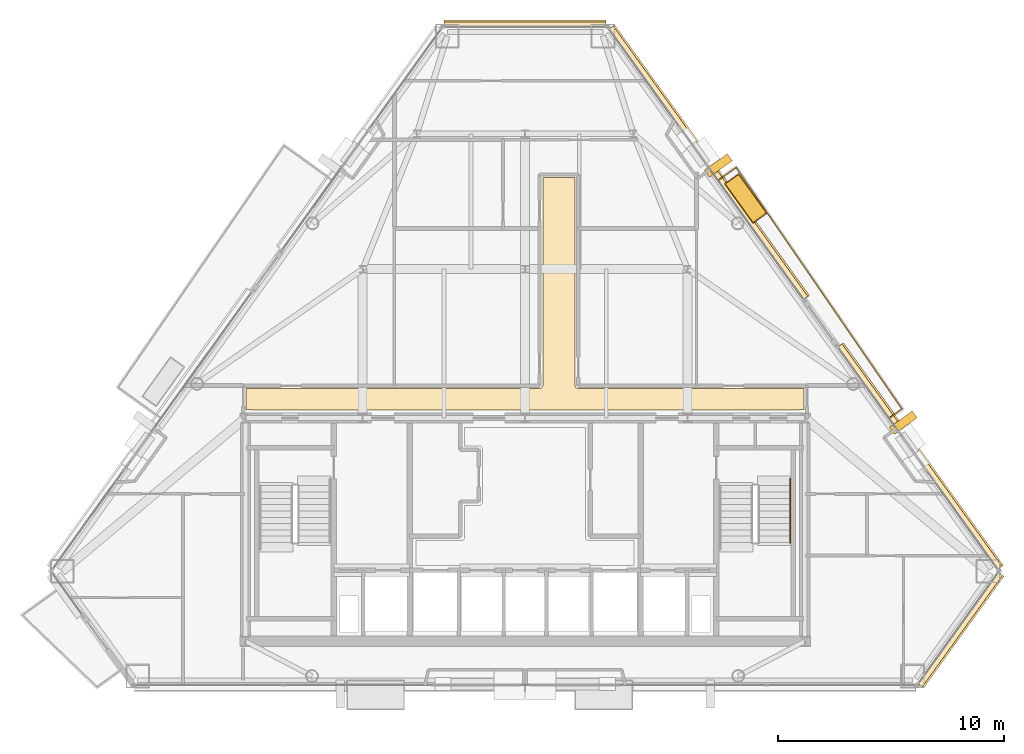
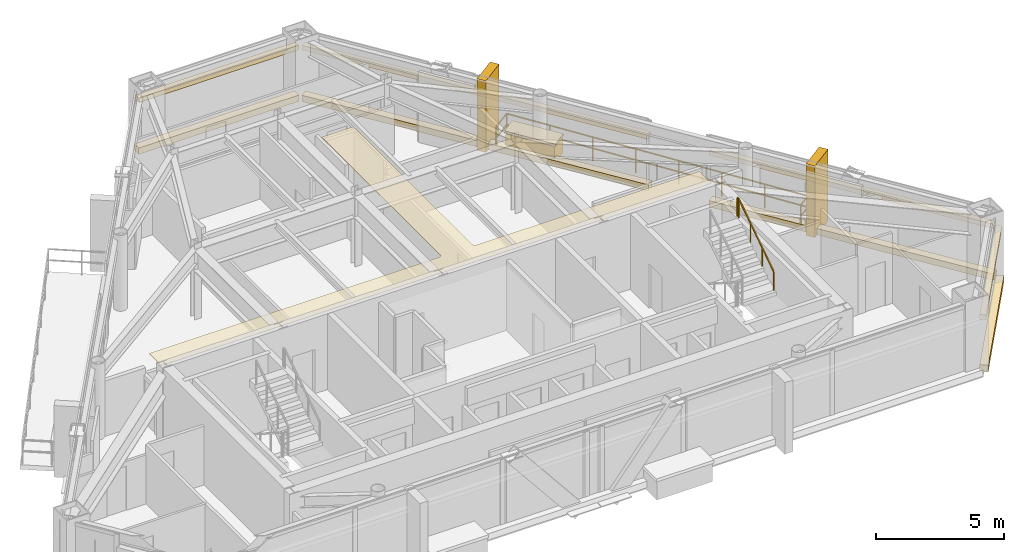
# One storey, part 12 of 12: 13 coverings, 2 railings.
"""IFC4 building model written with IfcOpenShell, lengths in metres."""

import ifcopenshell
import ifcopenshell.guid

model = None  # the IFC model being written
_history = None  # IfcOwnerHistory: only IFC2X3 demands one
_inside = {}  # id of a spatial element -> (the spatial element, [elements in it])
_under = {}  # id of a project, library or spatial element -> (it, [spatial elements below it])
_declared = {}  # id of a project -> (the project, [libraries it declares])
_typed = {}  # id of a type object -> (the type object, [elements of that type])
_made_of = {}  # id of a material, layer set ... -> (it, [elements and type objects made of it])


def new_model(schema):
    """Start an empty IFC model of exactly this schema.

    Asked for "IFC4X3", IfcOpenShell would pick the latest addendum, in which some entities
    have other attributes; the version numbers below select the first issue.
    IFC2X3 requires an IfcOwnerHistory on every rooted entity: one is made here for all.
    """
    global model, _history
    if schema == "IFC4X3":
        model = ifcopenshell.file(schema_version=(4, 3, 0, 0))
    else:
        model = ifcopenshell.file(schema=schema)
    _inside.clear()
    _under.clear()
    _declared.clear()
    _typed.clear()
    _made_of.clear()
    _history = None
    if model.schema == "IFC2X3":
        org = make("IfcOrganization", Name="unknown")
        user = make(
            "IfcPersonAndOrganization",
            ThePerson=make("IfcPerson", FamilyName="unknown"),
            TheOrganization=org,
        )
        app = make(
            "IfcApplication",
            ApplicationDeveloper=org,
            Version="unknown",
            ApplicationFullName="unknown",
            ApplicationIdentifier="unknown",
        )
        _history = make(
            "IfcOwnerHistory",
            OwningUser=user,
            OwningApplication=app,
            ChangeAction="ADDED",
            CreationDate=0,
        )
    return model


def make(cls, **values):
    """One entity of the class cls with the attributes given. An attribute that is None is left unset."""
    return model.create_entity(
        cls, **{name: value for name, value in values.items() if value is not None}
    )


def rooted(cls, **values):
    """An entity with a GlobalId (a new one), such as an element, a storey or a relation."""
    return make(cls, GlobalId=ifcopenshell.guid.new(), OwnerHistory=_history, **values)


def si_unit(unit_type, name, prefix=None):
    """IfcSIUnit, for example si_unit("LENGTHUNIT", "METRE", prefix="MILLI")."""
    return make("IfcSIUnit", UnitType=unit_type, Prefix=prefix, Name=name)


def assignment(units):
    """IfcUnitAssignment: the units of a project."""
    return None if units is None else make("IfcUnitAssignment", Units=units)


def point(xyz):
    """IfcCartesianPoint."""
    return None if xyz is None else make("IfcCartesianPoint", Coordinates=xyz)


def direction(xyz):
    """IfcDirection."""
    return None if xyz is None else make("IfcDirection", DirectionRatios=xyz)


def frame(location, z_axis=None, x_axis=None):
    """IfcAxis2Placement3D, a coordinate frame: its origin and axes. An axis left out is left unset."""
    return make(
        "IfcAxis2Placement3D",
        Location=point(location),
        Axis=direction(z_axis),
        RefDirection=direction(x_axis),
    )


def frame_2d(location, x_axis=None):
    """IfcAxis2Placement2D, a coordinate frame in the plane: its origin and x axis."""
    return make(
        "IfcAxis2Placement2D", Location=point(location), RefDirection=direction(x_axis)
    )


def origin():
    """The frame at (0, 0, 0) with its axes left unset."""
    return frame((0.0, 0.0, 0.0))


def origin_2d():
    """The frame at (0, 0) in the plane with its x axis left unset."""
    return frame_2d((0.0, 0.0))


def place(relative_to, where):
    """IfcLocalPlacement: puts the frame where relative to a parent placement (None: the world)."""
    return make(
        "IfcLocalPlacement", PlacementRelTo=relative_to, RelativePlacement=where
    )


def context(
    kind, dimensions, precision=None, world=None, true_north=None, identifier=None
):
    """IfcGeometricRepresentationContext, for example the 3D "Model" context."""
    return make(
        "IfcGeometricRepresentationContext",
        ContextIdentifier=identifier,
        ContextType=kind,
        CoordinateSpaceDimension=dimensions,
        Precision=precision,
        WorldCoordinateSystem=world,
        TrueNorth=true_north,
    )


def subcontext(parent, identifier, kind, view, scale=None):
    """IfcGeometricRepresentationSubContext, for example "Body" below "Model"."""
    return make(
        "IfcGeometricRepresentationSubContext",
        ContextIdentifier=identifier,
        ContextType=kind,
        ParentContext=parent,
        TargetScale=scale,
        TargetView=view,
    )


def project(units=None, contexts=None):
    """IfcProject with its units and contexts."""
    return rooted(
        "IfcProject",
        Name="project",
        RepresentationContexts=contexts,
        UnitsInContext=assignment(units),
    )


def spatial(cls, under=None, at=None, **own):
    """A site, building, storey or space (cls), placed at a placement, below another one or the project."""
    s = rooted(cls, ObjectPlacement=at, **own)
    if under is not None:
        _under.setdefault(under.id(), (under, []))[1].append(s)
    return s


def polyline(points):
    """IfcPolyline through the points."""
    return make("IfcPolyline", Points=[point(p) for p in points])


def profile(cls, at=None, kind="AREA", **sizes):
    """A parametric profile (cls). Its sizes go by their IFC names, for example OverallWidth=200.0."""
    return make(cls, ProfileType=kind, Position=at, **sizes)


def rectangle(**sizes):
    """IfcRectangleProfileDef."""
    return profile("IfcRectangleProfileDef", **sizes)


def outline(outer, holes=None, kind="AREA"):
    """IfcArbitraryClosedProfileDef: a profile drawn as a closed curve; with holes, ...WithVoids."""
    if holes is None:
        return make("IfcArbitraryClosedProfileDef", ProfileType=kind, OuterCurve=outer)
    return make(
        "IfcArbitraryProfileDefWithVoids",
        ProfileType=kind,
        OuterCurve=outer,
        InnerCurves=holes,
    )


def extrude(swept, where, along, depth):
    """IfcExtrudedAreaSolid: the profile swept, set in the frame where, extruded along a direction by depth."""
    return make(
        "IfcExtrudedAreaSolid",
        SweptArea=swept,
        Position=where,
        ExtrudedDirection=direction(along),
        Depth=depth,
    )


def shape(context_of_items, identifier, shape_type, items):
    """IfcShapeRepresentation: the items that make up one representation, for example the "Body"."""
    return make(
        "IfcShapeRepresentation",
        ContextOfItems=context_of_items,
        RepresentationIdentifier=identifier,
        RepresentationType=shape_type,
        Items=items,
    )


def material(Name=None, Category=None):
    """IfcMaterial."""
    return make("IfcMaterial", Name=Name, Category=Category)


def layer(
    of_material, thickness, ventilated=None, Name=None, Category=None, Priority=None
):
    """IfcMaterialLayer: one layer of a wall or slab, of a material (None: an air gap)."""
    return make(
        "IfcMaterialLayer",
        Material=of_material,
        LayerThickness=thickness,
        IsVentilated=ventilated,
        Name=Name,
        Category=Category,
        Priority=Priority,
    )


def layer_set(layers, Name=None):
    """IfcMaterialLayerSet."""
    return make("IfcMaterialLayerSet", MaterialLayers=layers, LayerSetName=Name)


def made_of(thing, what):
    """Note that an element or type object is made of a material, layer set ...; save() writes the relation."""
    if what is not None:
        _made_of.setdefault(what.id(), (what, []))[1].append(thing)
    return thing


def type_object(cls, material=None, **own):
    """A type object (cls), such as IfcWallType, which elements share."""
    return made_of(rooted(cls, **own), material)


def element(
    cls,
    number,
    at=None,
    inside=None,
    cuts=None,
    type_object=None,
    material=None,
    context=None,
    identifier="Body",
    shape_type=None,
    held_by="IfcProductDefinitionShape",
    body=None,
    shapes=None,
    **own,
):
    """One element of the class cls, such as IfcWall. Its Tag is "e" and its number.

    at: its placement. inside: the storey or other place that contains it. cuts: it is an
    opening in that element (IfcRelVoidsElement). A single representation is given by context,
    identifier, shape_type and body (its items); several are given by shapes. held_by: the class
    of the entity that holds the representations. save() writes the other relations.
    """
    e = rooted(cls, Tag="e%d" % number, ObjectPlacement=at, **own)
    if body is not None:
        shapes = [shape(context, identifier, shape_type, body)]
    if shapes is not None:
        e.Representation = make(held_by, Representations=shapes)
    if inside is not None:
        _inside.setdefault(inside.id(), (inside, []))[1].append(e)
    if cuts is not None:
        rooted(
            "IfcRelVoidsElement", RelatingBuildingElement=cuts, RelatedOpeningElement=e
        )
    if type_object is not None:
        _typed.setdefault(type_object.id(), (type_object, []))[1].append(e)
    return made_of(e, material)


def aggregate(whole, parts):
    """IfcRelAggregates: a whole, such as a stair, and the parts it consists of."""
    return rooted("IfcRelAggregates", RelatingObject=whole, RelatedObjects=parts)


def save(model, path):
    """Write the relations noted so far, then the file.

    IfcRelAggregates (storeys below a building ...), IfcRelContainedInSpatialStructure (elements
    in a storey), IfcRelDefinesByType, IfcRelAssociatesMaterial and IfcRelDeclares: one each for
    every whole, place, type object, material and project.
    """
    for whole, parts in _under.values():
        aggregate(whole, parts)
    for where, things in _inside.values():
        rooted(
            "IfcRelContainedInSpatialStructure",
            RelatedElements=things,
            RelatingStructure=where,
        )
    for kind, things in _typed.values():
        rooted("IfcRelDefinesByType", RelatedObjects=things, RelatingType=kind)
    for what, things in _made_of.values():
        rooted("IfcRelAssociatesMaterial", RelatedObjects=things, RelatingMaterial=what)
    for by, libraries in _declared.values():
        rooted("IfcRelDeclares", RelatingContext=by, RelatedDefinitions=libraries)
    model.write(path)


model = new_model("IFC4")

# Units and contexts
model_context = context("Model", 3, precision=1e-05, world=origin(), true_north=direction((0.0, 1.0)))
body_context = subcontext(model_context, "Body", "Model", "MODEL_VIEW")
ifc_project = project(units=[si_unit("LENGTHUNIT", "METRE"), si_unit("AREAUNIT", "SQUARE_METRE"), si_unit("VOLUMEUNIT", "CUBIC_METRE"), si_unit("PLANEANGLEUNIT", "RADIAN"), si_unit("MASSUNIT", "GRAM", prefix="KILO")], contexts=[model_context])

# Site, building, storey
site_placement = place(None, origin())
site = spatial("IfcSite", under=ifc_project, at=site_placement, CompositionType="ELEMENT")
building_placement = place(site_placement, origin())
building = spatial("IfcBuilding", under=site, at=building_placement, Name="Talgorran Terracotta Tower", CompositionType="ELEMENT")
storey_placement = place(building_placement, frame((0.0, 0.0, 189.300048828125)))
storey = spatial("IfcBuildingStorey", under=building, at=storey_placement, Name="L49", CompositionType="ELEMENT", Elevation=189.300048828125)

# Coverings
ifc_material_1 = material(Name="Kiln-Fired Terracotta Ochre Ceramic", Category="masonry")
ifc_layer_1 = layer(ifc_material_1, 0.179931640625, Name="COV_BAGUETTE_TERRACOTTA_SCREEN")
ifc_layer_set_1 = layer_set([ifc_layer_1], Name="Kiln-Fired Terracotta Ochre Ceramic")
covering_type_1 = type_object("IfcCoveringType", Name="COV_BAGUETTE_TERRACOTTA_SCREEN", PredefinedType="CLADDING", material=ifc_layer_set_1)
covering_1_placement = place(storey_placement, frame((19.281982421875, -13.574951171875, 2.41015625), z_axis=(0.0, 0.0, 1.0), x_axis=(0.583980505394, 0.811767681864, 0.0)))
element("IfcCovering", 1, at=covering_1_placement, inside=storey, type_object=covering_type_1, Name="L49 Terracotta Baguette Solar Screen Assembly F2", PredefinedType="CLADDING", context=body_context, shape_type="SweptSolid", body=[
    extrude(rectangle(XDim=6.07958984375, YDim=0.260009765625, at=origin_2d()), origin(), (0.0, 0.0, 1.0), 0.219970703125),
])
covering_2_placement = place(storey_placement, frame((17.490478515625, -5.9189453125, 2.41015625), z_axis=(0.0, 0.0, 1.0), x_axis=(-0.583980505394, 0.811767681864, 0.0)))
element("IfcCovering", 2, at=covering_2_placement, inside=storey, type_object=covering_type_1, Name="L49 Terracotta Baguette Solar Screen Assembly F40", PredefinedType="CLADDING", context=body_context, shape_type="SweptSolid", body=[
    extrude(rectangle(XDim=12.135009765625, YDim=0.260009765625, at=origin_2d()), origin(), (0.0, 0.0, 1.0), 0.219970703125),
])
covering_3_placement = place(storey_placement, frame((8.115478515625, 7.112548828125, 2.41015625), z_axis=(0.0, 0.0, 1.0), x_axis=(-0.583980505394, 0.811767681864, 0.0)))
element("IfcCovering", 3, at=covering_3_placement, inside=storey, type_object=covering_type_1, Name="L49 Terracotta Baguette Solar Screen Assembly F41", PredefinedType="CLADDING", context=body_context, shape_type="SweptSolid", body=[
    extrude(rectangle(XDim=14.771240234375, YDim=0.260009765625, at=origin_2d()), origin(), (0.0, 0.0, 1.0), 0.219970703125),
])
covering_4_placement = place(storey_placement, frame((0.0, 13.23876953125, 2.41015625), z_axis=(0.0, 0.0, 1.0), x_axis=(-1.0, 0.0, 0.0)))
element("IfcCovering", 4, at=covering_4_placement, inside=storey, type_object=covering_type_1, Name="L49 Terracotta Baguette Solar Screen Assembly F4", PredefinedType="CLADDING", context=body_context, shape_type="SweptSolid", body=[
    extrude(rectangle(XDim=7.17431640625, YDim=0.260009765625, at=origin_2d()), origin(), (0.0, 0.0, 1.0), 0.219970703125),
])
ifc_material_2 = material(Name="Mineral Fibre Acoustic Tile")
ifc_layer_2 = layer(ifc_material_2, 0.02490234375, Name="COV_CEIL_ACOUSTIC")
ifc_layer_set_2 = layer_set([ifc_layer_2], Name="Mineral Fibre Acoustic Tile")
covering_type_2 = type_object("IfcCoveringType", Name="COV_CEIL_ACOUSTIC", PredefinedType="CEILING", material=ifc_layer_set_2)
covering_5_placement = place(storey_placement, frame((0.0, 0.0, 3.260009765625)))
element("IfcCovering", 5, at=covering_5_placement, inside=storey, type_object=covering_type_2, Name="CEIL-L49-2", PredefinedType="CEILING", context=body_context, shape_type="SweptSolid", body=[
    extrude(outline(polyline([(-12.364990234375, -2.885009765625), (0.64990234375, -2.885009765625), (0.66162109375, -2.884521484375), (0.67333984375, -2.8828125), (0.6845703125, -2.8798828125), (0.69287109375, -2.87744140625), (0.7041015625, -2.87353515625), (0.714599609375, -2.868408203125), (0.724853515625, -2.8623046875), (0.734375, -2.85546875), (0.742919921875, -2.847412109375), (0.7509765625, -2.8388671875), (0.756591796875, -2.83203125), (0.763671875, -2.822509765625), (0.769775390625, -2.8125), (0.774658203125, -2.8017578125), (0.77880859375, -2.79052734375), (0.781494140625, -2.779296875), (0.783203125, -2.767578125), (0.783935546875, -2.755615234375), (0.784912109375, 6.465087890625), (2.215087890625, 6.465087890625), (2.215087890625, -2.75), (2.215576171875, -2.76171875), (2.21728515625, -2.773193359375), (2.22021484375, -2.78466796875), (2.22265625, -2.79296875), (2.2265625, -2.803955078125), (2.231689453125, -2.814697265625), (2.237548828125, -2.82470703125), (2.24462890625, -2.834228515625), (2.25244140625, -2.843017578125), (2.26123046875, -2.850830078125), (2.26806640625, -2.8564453125), (2.277587890625, -2.863525390625), (2.28759765625, -2.86962890625), (2.29833984375, -2.874755859375), (2.309326171875, -2.878662109375), (2.32080078125, -2.881591796875), (2.33251953125, -2.88330078125), (2.34423828125, -2.8837890625), (12.364990234375, -2.885009765625), (12.364990234375, -3.830078125), (12.169921875, -3.830078125), (12.158203125, -3.83056640625), (12.146484375, -3.832275390625), (12.13525390625, -3.835205078125), (12.1240234375, -3.839111328125), (12.11328125, -3.84423828125), (12.112060546875, -3.844970703125), (7.432861328125, -3.844970703125), (6.968017578125, -3.843017578125), (6.967529296875, -3.843017578125), (0.232666015625, -3.844970703125), (-0.23193359375, -3.843017578125), (-0.232421875, -3.843017578125), (-6.96728515625, -3.844970703125), (-7.431884765625, -3.843017578125), (-7.4326171875, -3.843017578125), (-12.112060546875, -3.844970703125), (-12.11328125, -3.84423828125), (-12.1240234375, -3.839111328125), (-12.13525390625, -3.835205078125), (-12.146484375, -3.832275390625), (-12.158203125, -3.83056640625), (-12.169921875, -3.830078125), (-12.364990234375, -3.830078125), (-12.364990234375, -2.885009765625)])), origin(), (0.0, 0.0, 1.0), 0.02001953125),
])
ifc_material_3 = material(Name="Honed Limestone and Terracotta Planter", Category="masonry")
ifc_layer_3 = layer(ifc_material_3, 0.1201171875, Name="COV_PLANTER_BOX")
ifc_layer_set_3 = layer_set([ifc_layer_3], Name="Honed Limestone and Terracotta Planter")
covering_type_3 = type_object("IfcCoveringType", Name="COV_PLANTER_BOX", PredefinedType="CLADDING", material=ifc_layer_set_3)
covering_6_placement = place(storey_placement, frame((9.787109375, 5.533935546875, -0.02001953125), z_axis=(0.0, 0.0, 1.0), x_axis=(-0.583980505394, 0.811767681864, 0.0)))
element("IfcCovering", 6, at=covering_6_placement, inside=storey, type_object=covering_type_3, Name="L49 Staggered Balcony Planter Box BAL-NE", PredefinedType="CLADDING", context=body_context, shape_type="SweptSolid", body=[
    extrude(rectangle(XDim=2.10009765625, YDim=0.719970703125, at=origin_2d()), origin(), (0.0, 0.0, 1.0), 0.860107421875),
])
ifc_material_4 = material(Name="Kiln-Fired Terracotta Planter Rim", Category="masonry")
ifc_layer_4 = layer(ifc_material_4, 0.10009765625, Name="COV_PLANTER_RIM")
ifc_layer_set_4 = layer_set([ifc_layer_4], Name="Kiln-Fired Terracotta Planter Rim")
covering_type_4 = type_object("IfcCoveringType", Name="COV_PLANTER_RIM", PredefinedType="CLADDING", material=ifc_layer_set_4)
covering_7_placement = place(storey_placement, frame((9.787109375, 5.533935546875, 0.7998046875), z_axis=(0.0, 0.0, 1.0), x_axis=(-0.583980505394, 0.811767681864, 0.0)))
element("IfcCovering", 7, at=covering_7_placement, inside=storey, type_object=covering_type_4, Name="L49 Balcony Planter Terracotta Rim BAL-NE", PredefinedType="CLADDING", context=body_context, shape_type="SweptSolid", body=[
    extrude(rectangle(XDim=2.179931640625, YDim=0.780029296875, at=origin_2d()), origin(), (0.0, 0.0, 1.0), 0.1201171875),
])
ifc_material_5 = material(Name="Honed Limestone Cladding", Category="masonry")
ifc_layer_5 = layer(ifc_material_5, 0.094970703125, Name="COV_PORTAL_LIME")
ifc_layer_set_5 = layer_set([ifc_layer_5], Name="Honed Limestone Cladding")
covering_type_5 = type_object("IfcCoveringType", Name="COV_PORTAL_LIME", PredefinedType="CLADDING", material=ifc_layer_set_5)
covering_8_placement = place(storey_placement, frame((16.768798828125, -4.402099609375, -0.050048828125), z_axis=(0.0, 0.0, 1.0), x_axis=(-0.583980505394, 0.811767681864, 0.0)))
element("IfcCovering", 8, at=covering_8_placement, inside=storey, type_object=covering_type_5, Name="L49 White Striped Portal Fin F3-1", PredefinedType="CLADDING", context=body_context, shape_type="SweptSolid", body=[
    extrude(rectangle(XDim=0.3798828125, YDim=1.25, at=origin_2d()), origin(), (0.0, 0.0, 1.0), 3.39990234375),
])
ifc_material_6 = material(Name="Kiln-Fired Terracotta Cladding", Category="masonry")
ifc_layer_6 = layer(ifc_material_6, 0.090087890625, Name="COV_PORTAL_TERRA")
ifc_layer_set_6 = layer_set([ifc_layer_6], Name="Kiln-Fired Terracotta Cladding")
covering_type_6 = type_object("IfcCoveringType", Name="COV_PORTAL_TERRA", PredefinedType="CLADDING", material=ifc_layer_set_6)
covering_9_placement = place(storey_placement, frame((19.314453125, -13.598388671875, -0.0400390625), z_axis=(0.0, 0.0, 1.0), x_axis=(0.583980505394, 0.811767681864, 0.0)))
element("IfcCovering", 9, at=covering_9_placement, inside=storey, type_object=covering_type_6, Name="L49 Striped Postmodern Portal Cladding Band F2", PredefinedType="CLADDING", context=body_context, shape_type="SweptSolid", body=[
    extrude(rectangle(XDim=6.099609375, YDim=0.340087890625, at=origin_2d()), origin(), (0.0, 0.0, 1.0), 0.300048828125),
])
covering_10_placement = place(storey_placement, frame((17.52294921875, -5.8955078125, -0.0400390625), z_axis=(0.0, 0.0, 1.0), x_axis=(-0.583980505394, 0.811767681864, 0.0)))
element("IfcCovering", 10, at=covering_10_placement, inside=storey, type_object=covering_type_6, Name="L49 Striped Postmodern Portal Cladding Band F40", PredefinedType="CLADDING", context=body_context, shape_type="SweptSolid", body=[
    extrude(rectangle(XDim=12.155029296875, YDim=0.340087890625, at=origin_2d()), origin(), (0.0, 0.0, 1.0), 0.300048828125),
])
covering_11_placement = place(storey_placement, frame((8.148193359375, 7.135986328125, -0.0400390625), z_axis=(0.0, 0.0, 1.0), x_axis=(-0.583980505394, 0.811767681864, 0.0)))
element("IfcCovering", 11, at=covering_11_placement, inside=storey, type_object=covering_type_6, Name="L49 Striped Postmodern Portal Cladding Band F41", PredefinedType="CLADDING", context=body_context, shape_type="SweptSolid", body=[
    extrude(rectangle(XDim=14.791259765625, YDim=0.340087890625, at=origin_2d()), origin(), (0.0, 0.0, 1.0), 0.300048828125),
])
covering_12_placement = place(storey_placement, frame((0.0, 13.27880859375, -0.0400390625), z_axis=(0.0, 0.0, 1.0), x_axis=(-1.0, 0.0, 0.0)))
element("IfcCovering", 12, at=covering_12_placement, inside=storey, type_object=covering_type_6, Name="L49 Striped Postmodern Portal Cladding Band F4", PredefinedType="CLADDING", context=body_context, shape_type="SweptSolid", body=[
    extrude(rectangle(XDim=7.194091796875, YDim=0.340087890625, at=origin_2d()), origin(), (0.0, 0.0, 1.0), 0.300048828125),
])
covering_13_placement = place(storey_placement, frame((8.569091796875, 6.995849609375, -0.050048828125), z_axis=(0.0, 0.0, 1.0), x_axis=(-0.583980505394, 0.811767681864, 0.0)))
element("IfcCovering", 13, at=covering_13_placement, inside=storey, type_object=covering_type_6, Name="L49 Terracotta Striped Portal Fin F3-2", PredefinedType="CLADDING", context=body_context, shape_type="SweptSolid", body=[
    extrude(rectangle(XDim=0.3798828125, YDim=1.25, at=origin_2d()), origin(), (0.0, 0.0, 1.0), 3.39990234375),
])

# Railings
ifc_material_7 = material(Name="Laminated Glass and Stainless Steel 316", Category="steel")
railing_type_1 = type_object("IfcRailingType", Name="RL_BALCONY_1150", PredefinedType="BALUSTRADE", material=ifc_material_7)
railing_1_placement = place(storey_placement, frame((16.15185546875, -4.1953125, 0.0)))
element("IfcRailing", 14, at=railing_1_placement, inside=storey, type_object=railing_type_1, Name="RL-L49-BAL-BAL-NE", PredefinedType="BALUSTRADE", context=body_context, shape_type="SweptSolid", body=[
    extrude(rectangle(XDim=0.048095703125, YDim=0.048095703125, at=origin_2d()), frame((0.0, 0.0, 1.1259765625), z_axis=(0.811777705944, 0.583966571074, 0.0), x_axis=(-0.583966571074, 0.811777705944, 0.0)), (0.0, 0.0, 1.0), 0.684814453125),
    extrude(rectangle(XDim=0.048095703125, YDim=0.048095703125, at=origin_2d()), frame((0.0, 0.0, 0.597900390625), z_axis=(0.811777705944, 0.583966571074, 0.0), x_axis=(-0.583966571074, 0.811777705944, 0.0)), (0.0, 0.0, 1.0), 0.684814453125),
    extrude(rectangle(XDim=0.048095703125, YDim=0.048095703125, at=origin_2d()), frame((0.555908203125, 0.39990234375, 1.1259765625), z_axis=(-0.566164184219, 0.824292494511, 0.0), x_axis=(-0.824292494511, -0.566164184219, 0.0)), (0.0, 0.0, 1.0), 12.98779296875),
    extrude(rectangle(XDim=0.048095703125, YDim=0.048095703125, at=origin_2d()), frame((0.555908203125, 0.39990234375, 0.597900390625), z_axis=(-0.566164184219, 0.824292494511, 0.0), x_axis=(-0.824292494511, -0.566164184219, 0.0)), (0.0, 0.0, 1.0), 12.98779296875),
    extrude(rectangle(XDim=0.048095703125, YDim=0.048095703125, at=origin_2d()), frame((-6.79736328125, 11.105712890625, 1.1259765625), z_axis=(-0.811682670639, -0.58409865792, 0.0), x_axis=(0.58409865792, -0.811682670639, 0.0)), (0.0, 0.0, 1.0), 0.967529296875),
    extrude(rectangle(XDim=0.048095703125, YDim=0.048095703125, at=origin_2d()), frame((-6.79736328125, 11.105712890625, 0.597900390625), z_axis=(-0.811682670639, -0.58409865792, 0.0), x_axis=(0.58409865792, -0.811682670639, 0.0)), (0.0, 0.0, 1.0), 0.967529296875),
    extrude(rectangle(XDim=0.0419921875, YDim=0.0419921875, at=origin_2d()), origin(), (0.0, 0.0, 1.0), 1.101806640625),
    extrude(rectangle(XDim=0.0419921875, YDim=0.0419921875, at=origin_2d()), frame((0.555908203125, 0.39990234375, 0.0)), (0.0, 0.0, 1.0), 1.101806640625),
    extrude(rectangle(XDim=0.0419921875, YDim=0.0419921875, at=origin_2d()), frame((-0.49462890625, 1.92919921875, 0.0)), (0.0, 0.0, 1.0), 1.101806640625),
    extrude(rectangle(XDim=0.0419921875, YDim=0.0419921875, at=origin_2d()), frame((-1.544921875, 3.458740234375, 0.0)), (0.0, 0.0, 1.0), 1.101806640625),
    extrude(rectangle(XDim=0.0419921875, YDim=0.0419921875, at=origin_2d()), frame((-2.595458984375, 4.988037109375, 0.0)), (0.0, 0.0, 1.0), 1.101806640625),
    extrude(rectangle(XDim=0.0419921875, YDim=0.0419921875, at=origin_2d()), frame((-3.64599609375, 6.517578125, 0.0)), (0.0, 0.0, 1.0), 1.101806640625),
    extrude(rectangle(XDim=0.0419921875, YDim=0.0419921875, at=origin_2d()), frame((-4.696533203125, 8.046875, 0.0)), (0.0, 0.0, 1.0), 1.101806640625),
    extrude(rectangle(XDim=0.0419921875, YDim=0.0419921875, at=origin_2d()), frame((-5.746826171875, 9.576416015625, 0.0)), (0.0, 0.0, 1.0), 1.101806640625),
    extrude(rectangle(XDim=0.0419921875, YDim=0.0419921875, at=origin_2d()), frame((-6.79736328125, 11.105712890625, 0.0)), (0.0, 0.0, 1.0), 1.101806640625),
    extrude(rectangle(XDim=0.0419921875, YDim=0.0419921875, at=origin_2d()), frame((-7.582763671875, 10.54052734375, 0.0)), (0.0, 0.0, 1.0), 1.101806640625),
])
ifc_material_8 = material(Name="Steel S355 (300PLUS)", Category="steel")
railing_type_2 = type_object("IfcRailingType", Name="RL_HANDRAIL_920", PredefinedType="HANDRAIL", material=ifc_material_8)
railing_2_placement = place(storey_placement, frame((11.75, -9.719970703125, 1.97998046875)))
element("IfcRailing", 15, at=railing_2_placement, inside=storey, type_object=railing_type_2, Name="L49 ST-02 stair handrail 2", PredefinedType="HANDRAIL", context=body_context, shape_type="SweptSolid", body=[
    extrude(rectangle(XDim=0.048095703125, YDim=0.048095703125, at=origin_2d()), frame((0.0, 0.0, 0.89599609375), z_axis=(0.0, 0.832038719335, 0.554717558338), x_axis=(-1.0, 0.0, 0.0)), (0.0, 0.0, 1.0), 3.244873046875),
    extrude(rectangle(XDim=0.048095703125, YDim=0.048095703125, at=origin_2d()), frame((0.0, 2.699951171875, 2.69580078125), z_axis=(0.0, 1.0, 0.0), x_axis=(-1.0, 0.0, 0.0)), (0.0, 0.0, 1.0), 0.1201171875),
    extrude(rectangle(XDim=0.0419921875, YDim=0.0419921875, at=origin_2d()), origin(), (0.0, 0.0, 1.0), 0.871826171875),
    extrude(rectangle(XDim=0.0419921875, YDim=0.0419921875, at=origin_2d()), frame((0.0, 0.89990234375, 0.60009765625)), (0.0, 0.0, 1.0), 0.871826171875),
    extrude(rectangle(XDim=0.0419921875, YDim=0.0419921875, at=origin_2d()), frame((0.0, 1.800048828125, 1.199951171875)), (0.0, 0.0, 1.0), 0.871826171875),
    extrude(rectangle(XDim=0.0419921875, YDim=0.0419921875, at=origin_2d()), frame((0.0, 2.699951171875, 1.800048828125)), (0.0, 0.0, 1.0), 0.871826171875),
    extrude(rectangle(XDim=0.0419921875, YDim=0.0419921875, at=origin_2d()), frame((0.0, 2.820068359375, 1.800048828125)), (0.0, 0.0, 1.0), 0.871826171875),
])

save(model, "model.ifc")
